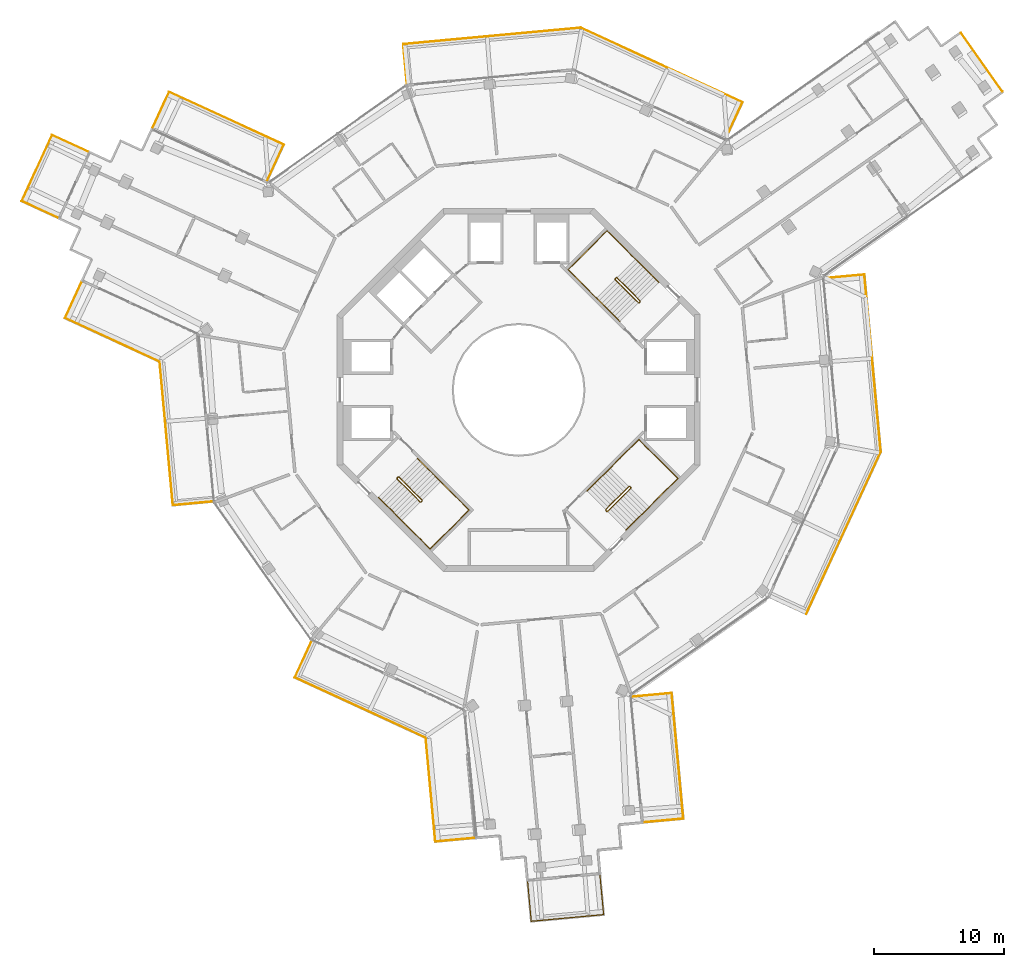
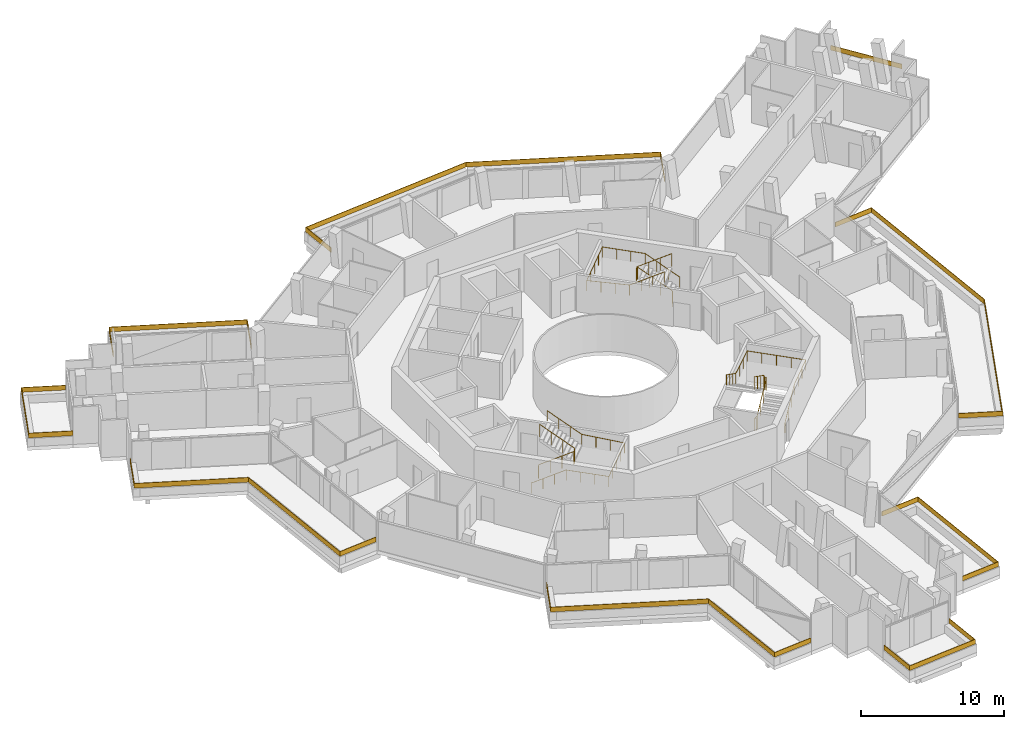
# One storey, part 25 of 25: 15 railings.
"""IFC4 building model written with IfcOpenShell, lengths in metres."""

import ifcopenshell
import ifcopenshell.guid

model = None  # the IFC model being written
_history = None  # IfcOwnerHistory: only IFC2X3 demands one
_inside = {}  # id of a spatial element -> (the spatial element, [elements in it])
_under = {}  # id of a project, library or spatial element -> (it, [spatial elements below it])
_declared = {}  # id of a project -> (the project, [libraries it declares])
_typed = {}  # id of a type object -> (the type object, [elements of that type])
_made_of = {}  # id of a material, layer set ... -> (it, [elements and type objects made of it])


def new_model(schema):
    """Start an empty IFC model of exactly this schema.

    Asked for "IFC4X3", IfcOpenShell would pick the latest addendum, in which some entities
    have other attributes; the version numbers below select the first issue.
    IFC2X3 requires an IfcOwnerHistory on every rooted entity: one is made here for all.
    """
    global model, _history
    if schema == "IFC4X3":
        model = ifcopenshell.file(schema_version=(4, 3, 0, 0))
    else:
        model = ifcopenshell.file(schema=schema)
    _inside.clear()
    _under.clear()
    _declared.clear()
    _typed.clear()
    _made_of.clear()
    _history = None
    if model.schema == "IFC2X3":
        org = make("IfcOrganization", Name="unknown")
        user = make(
            "IfcPersonAndOrganization",
            ThePerson=make("IfcPerson", FamilyName="unknown"),
            TheOrganization=org,
        )
        app = make(
            "IfcApplication",
            ApplicationDeveloper=org,
            Version="unknown",
            ApplicationFullName="unknown",
            ApplicationIdentifier="unknown",
        )
        _history = make(
            "IfcOwnerHistory",
            OwningUser=user,
            OwningApplication=app,
            ChangeAction="ADDED",
            CreationDate=0,
        )
    return model


def make(cls, **values):
    """One entity of the class cls with the attributes given. An attribute that is None is left unset."""
    return model.create_entity(
        cls, **{name: value for name, value in values.items() if value is not None}
    )


def rooted(cls, **values):
    """An entity with a GlobalId (a new one), such as an element, a storey or a relation."""
    return make(cls, GlobalId=ifcopenshell.guid.new(), OwnerHistory=_history, **values)


def si_unit(unit_type, name, prefix=None):
    """IfcSIUnit, for example si_unit("LENGTHUNIT", "METRE", prefix="MILLI")."""
    return make("IfcSIUnit", UnitType=unit_type, Prefix=prefix, Name=name)


def assignment(units):
    """IfcUnitAssignment: the units of a project."""
    return None if units is None else make("IfcUnitAssignment", Units=units)


def point(xyz):
    """IfcCartesianPoint."""
    return None if xyz is None else make("IfcCartesianPoint", Coordinates=xyz)


def direction(xyz):
    """IfcDirection."""
    return None if xyz is None else make("IfcDirection", DirectionRatios=xyz)


def frame(location, z_axis=None, x_axis=None):
    """IfcAxis2Placement3D, a coordinate frame: its origin and axes. An axis left out is left unset."""
    return make(
        "IfcAxis2Placement3D",
        Location=point(location),
        Axis=direction(z_axis),
        RefDirection=direction(x_axis),
    )


def frame_2d(location, x_axis=None):
    """IfcAxis2Placement2D, a coordinate frame in the plane: its origin and x axis."""
    return make(
        "IfcAxis2Placement2D", Location=point(location), RefDirection=direction(x_axis)
    )


def origin():
    """The frame at (0, 0, 0) with its axes left unset."""
    return frame((0.0, 0.0, 0.0))


def origin_2d():
    """The frame at (0, 0) in the plane with its x axis left unset."""
    return frame_2d((0.0, 0.0))


def place(relative_to, where):
    """IfcLocalPlacement: puts the frame where relative to a parent placement (None: the world)."""
    return make(
        "IfcLocalPlacement", PlacementRelTo=relative_to, RelativePlacement=where
    )


def context(
    kind, dimensions, precision=None, world=None, true_north=None, identifier=None
):
    """IfcGeometricRepresentationContext, for example the 3D "Model" context."""
    return make(
        "IfcGeometricRepresentationContext",
        ContextIdentifier=identifier,
        ContextType=kind,
        CoordinateSpaceDimension=dimensions,
        Precision=precision,
        WorldCoordinateSystem=world,
        TrueNorth=true_north,
    )


def subcontext(parent, identifier, kind, view, scale=None):
    """IfcGeometricRepresentationSubContext, for example "Body" below "Model"."""
    return make(
        "IfcGeometricRepresentationSubContext",
        ContextIdentifier=identifier,
        ContextType=kind,
        ParentContext=parent,
        TargetScale=scale,
        TargetView=view,
    )


def project(units=None, contexts=None):
    """IfcProject with its units and contexts."""
    return rooted(
        "IfcProject",
        Name="project",
        RepresentationContexts=contexts,
        UnitsInContext=assignment(units),
    )


def spatial(cls, under=None, at=None, **own):
    """A site, building, storey or space (cls), placed at a placement, below another one or the project."""
    s = rooted(cls, ObjectPlacement=at, **own)
    if under is not None:
        _under.setdefault(under.id(), (under, []))[1].append(s)
    return s


def polyline(points):
    """IfcPolyline through the points."""
    return make("IfcPolyline", Points=[point(p) for p in points])


def profile(cls, at=None, kind="AREA", **sizes):
    """A parametric profile (cls). Its sizes go by their IFC names, for example OverallWidth=200.0."""
    return make(cls, ProfileType=kind, Position=at, **sizes)


def rectangle(**sizes):
    """IfcRectangleProfileDef."""
    return profile("IfcRectangleProfileDef", **sizes)


def circle(**sizes):
    """IfcCircleProfileDef."""
    return profile("IfcCircleProfileDef", **sizes)


def outline(outer, holes=None, kind="AREA"):
    """IfcArbitraryClosedProfileDef: a profile drawn as a closed curve; with holes, ...WithVoids."""
    if holes is None:
        return make("IfcArbitraryClosedProfileDef", ProfileType=kind, OuterCurve=outer)
    return make(
        "IfcArbitraryProfileDefWithVoids",
        ProfileType=kind,
        OuterCurve=outer,
        InnerCurves=holes,
    )


def extrude(swept, where, along, depth):
    """IfcExtrudedAreaSolid: the profile swept, set in the frame where, extruded along a direction by depth."""
    return make(
        "IfcExtrudedAreaSolid",
        SweptArea=swept,
        Position=where,
        ExtrudedDirection=direction(along),
        Depth=depth,
    )


def shape(context_of_items, identifier, shape_type, items):
    """IfcShapeRepresentation: the items that make up one representation, for example the "Body"."""
    return make(
        "IfcShapeRepresentation",
        ContextOfItems=context_of_items,
        RepresentationIdentifier=identifier,
        RepresentationType=shape_type,
        Items=items,
    )


def material(Name=None, Category=None):
    """IfcMaterial."""
    return make("IfcMaterial", Name=Name, Category=Category)


def layer(
    of_material, thickness, ventilated=None, Name=None, Category=None, Priority=None
):
    """IfcMaterialLayer: one layer of a wall or slab, of a material (None: an air gap)."""
    return make(
        "IfcMaterialLayer",
        Material=of_material,
        LayerThickness=thickness,
        IsVentilated=ventilated,
        Name=Name,
        Category=Category,
        Priority=Priority,
    )


def layer_set(layers, Name=None):
    """IfcMaterialLayerSet."""
    return make("IfcMaterialLayerSet", MaterialLayers=layers, LayerSetName=Name)


def made_of(thing, what):
    """Note that an element or type object is made of a material, layer set ...; save() writes the relation."""
    if what is not None:
        _made_of.setdefault(what.id(), (what, []))[1].append(thing)
    return thing


def type_object(cls, material=None, **own):
    """A type object (cls), such as IfcWallType, which elements share."""
    return made_of(rooted(cls, **own), material)


def element(
    cls,
    number,
    at=None,
    inside=None,
    cuts=None,
    type_object=None,
    material=None,
    context=None,
    identifier="Body",
    shape_type=None,
    held_by="IfcProductDefinitionShape",
    body=None,
    shapes=None,
    **own,
):
    """One element of the class cls, such as IfcWall. Its Tag is "e" and its number.

    at: its placement. inside: the storey or other place that contains it. cuts: it is an
    opening in that element (IfcRelVoidsElement). A single representation is given by context,
    identifier, shape_type and body (its items); several are given by shapes. held_by: the class
    of the entity that holds the representations. save() writes the other relations.
    """
    e = rooted(cls, Tag="e%d" % number, ObjectPlacement=at, **own)
    if body is not None:
        shapes = [shape(context, identifier, shape_type, body)]
    if shapes is not None:
        e.Representation = make(held_by, Representations=shapes)
    if inside is not None:
        _inside.setdefault(inside.id(), (inside, []))[1].append(e)
    if cuts is not None:
        rooted(
            "IfcRelVoidsElement", RelatingBuildingElement=cuts, RelatedOpeningElement=e
        )
    if type_object is not None:
        _typed.setdefault(type_object.id(), (type_object, []))[1].append(e)
    return made_of(e, material)


def aggregate(whole, parts):
    """IfcRelAggregates: a whole, such as a stair, and the parts it consists of."""
    return rooted("IfcRelAggregates", RelatingObject=whole, RelatedObjects=parts)


def save(model, path):
    """Write the relations noted so far, then the file.

    IfcRelAggregates (storeys below a building ...), IfcRelContainedInSpatialStructure (elements
    in a storey), IfcRelDefinesByType, IfcRelAssociatesMaterial and IfcRelDeclares: one each for
    every whole, place, type object, material and project.
    """
    for whole, parts in _under.values():
        aggregate(whole, parts)
    for where, things in _inside.values():
        rooted(
            "IfcRelContainedInSpatialStructure",
            RelatedElements=things,
            RelatingStructure=where,
        )
    for kind, things in _typed.values():
        rooted("IfcRelDefinesByType", RelatedObjects=things, RelatingType=kind)
    for what, things in _made_of.values():
        rooted("IfcRelAssociatesMaterial", RelatedObjects=things, RelatingMaterial=what)
    for by, libraries in _declared.values():
        rooted("IfcRelDeclares", RelatingContext=by, RelatedDefinitions=libraries)
    model.write(path)


model = new_model("IFC4")

# Units and contexts
model_context = context("Model", 3, precision=1e-05, world=origin(), true_north=direction((0.0, 1.0)))
body_context = subcontext(model_context, "Body", "Model", "MODEL_VIEW")
ifc_project = project(units=[si_unit("LENGTHUNIT", "METRE"), si_unit("AREAUNIT", "SQUARE_METRE"), si_unit("VOLUMEUNIT", "CUBIC_METRE"), si_unit("PLANEANGLEUNIT", "RADIAN"), si_unit("MASSUNIT", "GRAM", prefix="KILO")], contexts=[model_context])

# Site, building, storey
site_placement = place(None, origin())
site = spatial("IfcSite", under=ifc_project, at=site_placement, CompositionType="ELEMENT")
building_placement = place(site_placement, origin())
building = spatial("IfcBuilding", under=site, at=building_placement, Name="Verdalira Terraces Hotel", CompositionType="ELEMENT")
storey_placement = place(building_placement, frame((0.0, 0.0, 299.5)))
storey = spatial("IfcBuildingStorey", under=building, at=storey_placement, Name="L74", CompositionType="ELEMENT", Elevation=299.5)

# Railings
ifc_material_1 = material(Name="Laminated glass", Category="glass")
ifc_layer = layer(ifc_material_1, 0.0400390625)
ifc_layer_set = layer_set([ifc_layer], Name="Balcony glass guard 400")
railing_type_1 = type_object("IfcRailingType", Name="Balcony glass guard 400", PredefinedType="GUARDRAIL", material=ifc_layer_set)
railing_1_placement = place(storey_placement, frame((0.0, 0.0, 0.699951)))
element("IfcRailing", 1, at=railing_1_placement, inside=storey, type_object=railing_type_1, Name="Balcony glass guard", PredefinedType="GUARDRAIL", context=body_context, shape_type="SweptSolid", body=[
    extrude(outline(polyline([(-35.956543, 19.61377), (-38.281738, 14.563232), (-35.484863, 13.275635), (-35.501465, 13.239502), (-38.334717, 14.543701), (-35.976074, 19.666992), (-33.143066, 18.362549), (-33.159668, 18.326172), (-35.956543, 19.61377)])), origin(), (0.0, 0.0, 1.0), 0.400146),
])
railing_2_placement = place(storey_placement, frame((0.0, 0.0, 0.699951)))
element("IfcRailing", 2, at=railing_2_placement, inside=storey, type_object=railing_type_1, Name="Balcony glass guard", PredefinedType="GUARDRAIL", context=body_context, shape_type="SweptSolid", body=[
    extrude(outline(polyline([(-34.948486, 5.542725), (-27.656738, 2.186035), (-26.635254, -8.868652), (-23.569336, -8.585449), (-23.565674, -8.625244), (-26.671387, -8.912109), (-27.69458, 2.15918), (-35.001465, 5.523193), (-33.697266, 8.356445), (-33.660889, 8.3396), (-34.948486, 5.542725)])), origin(), (0.0, 0.0, 1.0), 0.400146),
])
railing_3_placement = place(storey_placement, frame((0.0, 0.0, 0.699951)))
element("IfcRailing", 3, at=railing_3_placement, inside=storey, type_object=railing_type_1, Name="Balcony glass guard", PredefinedType="GUARDRAIL", context=body_context, shape_type="SweptSolid", body=[
    extrude(outline(polyline([(-17.227783, -22.165039), (-7.143311, -26.807617), (-6.404785, -34.800781), (-3.338867, -34.517578), (-3.335205, -34.557373), (-6.440918, -34.844238), (-7.181152, -26.834229), (-17.280762, -22.184814), (-15.976562, -19.351562), (-15.940186, -19.368164), (-17.227783, -22.165039)])), origin(), (0.0, 0.0, 1.0), 0.400146),
])
railing_4_placement = place(storey_placement, frame((0.0, 0.0, 0.699951)))
element("IfcRailing", 4, at=railing_4_placement, inside=storey, type_object=railing_type_1, Name="Balcony glass guard", PredefinedType="GUARDRAIL", context=body_context, shape_type="SweptSolid", body=[
    extrude(outline(polyline([(0.992188, -40.946289), (6.528564, -40.43457), (6.245361, -37.368652), (6.285156, -37.36499), (6.572021, -40.470703), (0.956055, -40.989746), (0.668945, -37.884033), (0.708984, -37.880371), (0.992188, -40.946289)])), origin(), (0.0, 0.0, 1.0), 0.400146),
])
railing_5_placement = place(storey_placement, frame((0.0, 0.0, 0.699951)))
element("IfcRailing", 5, at=railing_5_placement, inside=storey, type_object=railing_type_1, Name="Balcony glass guard", PredefinedType="GUARDRAIL", context=body_context, shape_type="SweptSolid", body=[
    extrude(outline(polyline([(12.674072, -33.037598), (11.782715, -23.393311), (8.716797, -23.676758), (8.713135, -23.636719), (11.818848, -23.349854), (12.717529, -33.07373), (9.611816, -33.36084), (9.608154, -33.321045), (12.674072, -33.037598)])), origin(), (0.0, 0.0, 1.0), 0.400146),
])
railing_6_placement = place(storey_placement, frame((0.0, 0.0, 0.699951)))
element("IfcRailing", 6, at=railing_6_placement, inside=storey, type_object=railing_type_1, Name="Balcony glass guard", PredefinedType="GUARDRAIL", context=body_context, shape_type="SweptSolid", body=[
    extrude(outline(polyline([(22.165039, -17.227783), (27.896484, -4.778564), (26.635254, 8.868652), (23.569336, 8.585449), (23.565674, 8.625244), (26.671387, 8.912109), (27.937256, -4.7854), (22.184814, -17.280762), (19.351562, -15.976562), (19.368164, -15.940186), (22.165039, -17.227783)])), origin(), (0.0, 0.0, 1.0), 0.400146),
])
railing_7_placement = place(storey_placement, frame((0.0, 0.0, 0.699951)))
element("IfcRailing", 7, at=railing_7_placement, inside=storey, type_object=railing_type_1, Name="Balcony glass guard", PredefinedType="GUARDRAIL", context=body_context, shape_type="SweptSolid", body=[
    extrude(outline(polyline([(17.227783, 22.165039), (4.778564, 27.896484), (-8.868652, 26.635254), (-8.585449, 23.569336), (-8.625244, 23.565674), (-8.912109, 26.671387), (4.7854, 27.937256), (17.280762, 22.184814), (15.976562, 19.351562), (15.940186, 19.368164), (17.227783, 22.165039)])), origin(), (0.0, 0.0, 1.0), 0.400146),
])
railing_8_placement = place(storey_placement, frame((0.0, 0.0, 0.699951)))
element("IfcRailing", 8, at=railing_8_placement, inside=storey, type_object=railing_type_1, Name="Balcony glass guard", PredefinedType="GUARDRAIL", context=body_context, shape_type="SweptSolid", body=[
    extrude(outline(polyline([(-18.138184, 18.896729), (-26.936035, 22.947021), (-28.223633, 20.150146), (-28.26001, 20.166992), (-26.955566, 23.0), (-18.085205, 18.91626), (-19.389404, 16.083252), (-19.425781, 16.099854), (-18.138184, 18.896729)])), origin(), (0.0, 0.0, 1.0), 0.400146),
])
railing_9_placement = place(storey_placement, frame((35.70166, 25.259521, 0.699951), z_axis=(0.0, 0.0, 1.0), x_axis=(-0.577572703, 0.816339251, 0.0)))
element("IfcRailing", 9, at=railing_9_placement, inside=storey, type_object=railing_type_1, Name="Loggia glass guard", PredefinedType="GUARDRAIL", context=body_context, shape_type="SweptSolid", body=[
    extrude(rectangle(XDim=5.5, YDim=0.040039, at=origin_2d()), origin(), (0.0, 0.0, 1.0), 0.399902),
])
ifc_material_2 = material(Name="Stainless steel", Category="steel")
railing_type_2 = type_object("IfcRailingType", Name="Stair guard 1100", PredefinedType="GUARDRAIL", material=ifc_material_2)
railing_10_placement = place(storey_placement, frame((9.369141, 6.78833, 0.0)))
element("IfcRailing", 10, at=railing_10_placement, inside=storey, type_object=railing_type_2, Name="L74 ST1 stair guard 1", PredefinedType="GUARDRAIL", context=body_context, shape_type="SweptSolid", body=[
    extrude(circle(Radius=0.023926, at=origin_2d()), frame((0.0, 0.0, 1.076172), z_axis=(-0.707106781, -0.707106781, 0.0), x_axis=(0.707106781, -0.707106781, 0.0)), (0.0, 0.0, 1.0), 0.100098),
    extrude(circle(Radius=0.023926, at=origin_2d()), frame((-0.070801, -0.070801, 1.076172), z_axis=(0.300162975, 0.599290904, 0.742127078), x_axis=(-0.894118129, 0.447831187, 0.0)), (0.0, 0.0, 1.0), 0.23584),
    extrude(circle(Radius=0.023926, at=origin_2d()), frame((0.0, 0.070557, 1.250977), z_axis=(-0.599637504, 0.599637504, 0.52997144), x_axis=(-0.707106781, -0.707106781, 0.0)), (0.0, 0.0, 1.0), 2.97168),
    extrude(circle(Radius=0.023926, at=origin_2d()), frame((-1.781982, 1.852539, 2.826172), z_axis=(-1.0, 0.0, 0.0), x_axis=(0.0, -1.0, 0.0)), (0.0, 0.0, 1.0), 0.070557),
    extrude(circle(Radius=0.023926, at=origin_2d()), frame((-1.852539, 1.852539, 2.826172), z_axis=(-0.707106781, -0.707106781, 0.0), x_axis=(0.707106781, -0.707106781, 0.0)), (0.0, 0.0, 1.0), 0.100098),
    extrude(circle(Radius=0.023926, at=origin_2d()), frame((-1.92334, 1.781738, 2.826172), z_axis=(0.0, -0.373842709, 0.927492118), x_axis=(1.0, 0.0, 0.0)), (0.0, 0.0, 1.0), 0.188721),
    extrude(circle(Radius=0.023926, at=origin_2d()), frame((-1.92334, 1.711182, 3.000977), z_axis=(0.599637504, -0.599637504, 0.52997144), x_axis=(0.707106781, 0.707106781, 0.0)), (0.0, 0.0, 1.0), 2.97168),
    extrude(circle(Radius=0.020996, at=origin_2d()), origin(), (0.0, 0.0, 1.0), 1.052002),
    extrude(circle(Radius=0.020996, at=origin_2d()), frame((-0.070801, -0.070801, 0.0)), (0.0, 0.0, 1.0), 1.052002),
    extrude(circle(Radius=0.020996, at=origin_2d()), frame((0.0, 0.070557, 0.175049)), (0.0, 0.0, 1.0), 1.052002),
    extrude(circle(Radius=0.020996, at=origin_2d()), frame((-0.593994, 0.664551, 0.699951)), (0.0, 0.0, 1.0), 1.052002),
    extrude(circle(Radius=0.020996, at=origin_2d()), frame((-1.187988, 1.258545, 1.225098)), (0.0, 0.0, 1.0), 1.052002),
    extrude(circle(Radius=0.020996, at=origin_2d()), frame((-1.781982, 1.852539, 1.75)), (0.0, 0.0, 1.0), 1.052002),
    extrude(circle(Radius=0.020996, at=origin_2d()), frame((-1.852539, 1.852539, 1.75)), (0.0, 0.0, 1.0), 1.052002),
    extrude(circle(Radius=0.020996, at=origin_2d()), frame((-1.92334, 1.781738, 1.75)), (0.0, 0.0, 1.0), 1.052002),
    extrude(circle(Radius=0.020996, at=origin_2d()), frame((-1.92334, 1.711182, 1.925049)), (0.0, 0.0, 1.0), 1.052002),
    extrude(circle(Radius=0.020996, at=origin_2d()), frame((-1.329346, 1.117188, 2.449951)), (0.0, 0.0, 1.0), 1.052002),
    extrude(circle(Radius=0.020996, at=origin_2d()), frame((-0.735352, 0.523193, 2.975098)), (0.0, 0.0, 1.0), 1.052002),
    extrude(circle(Radius=0.020996, at=origin_2d()), frame((-0.141357, -0.070801, 3.5)), (0.0, 0.0, 1.0), 1.052002),
])
railing_11_placement = place(storey_placement, frame((-9.369141, -6.78833, 0.0)))
element("IfcRailing", 11, at=railing_11_placement, inside=storey, type_object=railing_type_2, Name="L74 ST2 stair guard 1", PredefinedType="GUARDRAIL", context=body_context, shape_type="SweptSolid", body=[
    extrude(circle(Radius=0.023926, at=origin_2d()), frame((0.0, 0.0, 1.076172), z_axis=(0.707106781, 0.707106781, 0.0), x_axis=(-0.707106781, 0.707106781, 0.0)), (0.0, 0.0, 1.0), 0.100098),
    extrude(circle(Radius=0.023926, at=origin_2d()), frame((0.070801, 0.070801, 1.076172), z_axis=(-0.300162975, -0.599290904, 0.742127078), x_axis=(0.894118129, -0.447831187, 0.0)), (0.0, 0.0, 1.0), 0.23584),
    extrude(circle(Radius=0.023926, at=origin_2d()), frame((0.0, -0.070557, 1.250977), z_axis=(0.599637504, -0.599637504, 0.52997144), x_axis=(0.707106781, 0.707106781, 0.0)), (0.0, 0.0, 1.0), 2.97168),
    extrude(circle(Radius=0.023926, at=origin_2d()), frame((1.781982, -1.852539, 2.826172), z_axis=(1.0, 0.0, 0.0), x_axis=(0.0, 1.0, 0.0)), (0.0, 0.0, 1.0), 0.070557),
    extrude(circle(Radius=0.023926, at=origin_2d()), frame((1.852539, -1.852539, 2.826172), z_axis=(0.707106781, 0.707106781, 0.0), x_axis=(-0.707106781, 0.707106781, 0.0)), (0.0, 0.0, 1.0), 0.100098),
    extrude(circle(Radius=0.023926, at=origin_2d()), frame((1.92334, -1.781738, 2.826172), z_axis=(0.0, 0.373842709, 0.927492118), x_axis=(-1.0, 0.0, 0.0)), (0.0, 0.0, 1.0), 0.188721),
    extrude(circle(Radius=0.023926, at=origin_2d()), frame((1.92334, -1.711182, 3.000977), z_axis=(-0.599637504, 0.599637504, 0.52997144), x_axis=(-0.707106781, -0.707106781, 0.0)), (0.0, 0.0, 1.0), 2.97168),
    extrude(circle(Radius=0.020996, at=origin_2d()), origin(), (0.0, 0.0, 1.0), 1.052002),
    extrude(circle(Radius=0.020996, at=origin_2d()), frame((0.070801, 0.070801, 0.0)), (0.0, 0.0, 1.0), 1.052002),
    extrude(circle(Radius=0.020996, at=origin_2d()), frame((0.0, -0.070557, 0.175049)), (0.0, 0.0, 1.0), 1.052002),
    extrude(circle(Radius=0.020996, at=origin_2d()), frame((0.593994, -0.664551, 0.699951)), (0.0, 0.0, 1.0), 1.052002),
    extrude(circle(Radius=0.020996, at=origin_2d()), frame((1.187988, -1.258545, 1.225098)), (0.0, 0.0, 1.0), 1.052002),
    extrude(circle(Radius=0.020996, at=origin_2d()), frame((1.781982, -1.852539, 1.75)), (0.0, 0.0, 1.0), 1.052002),
    extrude(circle(Radius=0.020996, at=origin_2d()), frame((1.852539, -1.852539, 1.75)), (0.0, 0.0, 1.0), 1.052002),
    extrude(circle(Radius=0.020996, at=origin_2d()), frame((1.92334, -1.781738, 1.75)), (0.0, 0.0, 1.0), 1.052002),
    extrude(circle(Radius=0.020996, at=origin_2d()), frame((1.92334, -1.711182, 1.925049)), (0.0, 0.0, 1.0), 1.052002),
    extrude(circle(Radius=0.020996, at=origin_2d()), frame((1.329346, -1.117188, 2.449951)), (0.0, 0.0, 1.0), 1.052002),
    extrude(circle(Radius=0.020996, at=origin_2d()), frame((0.735352, -0.523193, 2.975098)), (0.0, 0.0, 1.0), 1.052002),
    extrude(circle(Radius=0.020996, at=origin_2d()), frame((0.141357, 0.070801, 3.5)), (0.0, 0.0, 1.0), 1.052002),
])
railing_12_placement = place(storey_placement, frame((6.78833, -9.369141, 0.0)))
element("IfcRailing", 12, at=railing_12_placement, inside=storey, type_object=railing_type_2, Name="L74 ST3 stair guard 1", PredefinedType="GUARDRAIL", context=body_context, shape_type="SweptSolid", body=[
    extrude(circle(Radius=0.023926, at=origin_2d()), frame((0.0, 0.0, 1.076172), z_axis=(-0.707106781, 0.707106781, 0.0), x_axis=(-0.707106781, -0.707106781, 0.0)), (0.0, 0.0, 1.0), 0.100098),
    extrude(circle(Radius=0.023926, at=origin_2d()), frame((-0.070801, 0.070801, 1.076172), z_axis=(0.599290904, -0.300162975, 0.742127078), x_axis=(0.447831187, 0.894118129, 0.0)), (0.0, 0.0, 1.0), 0.23584),
    extrude(circle(Radius=0.023926, at=origin_2d()), frame((0.070557, 0.0, 1.250977), z_axis=(0.599637504, 0.599637504, 0.52997144), x_axis=(-0.707106781, 0.707106781, 0.0)), (0.0, 0.0, 1.0), 2.97168),
    extrude(circle(Radius=0.023926, at=origin_2d()), frame((1.852539, 1.781982, 2.826172), z_axis=(0.0, 1.0, 0.0), x_axis=(-1.0, 0.0, 0.0)), (0.0, 0.0, 1.0), 0.070557),
    extrude(circle(Radius=0.023926, at=origin_2d()), frame((1.852539, 1.852539, 2.826172), z_axis=(-0.707106781, 0.707106781, 0.0), x_axis=(-0.707106781, -0.707106781, 0.0)), (0.0, 0.0, 1.0), 0.100098),
    extrude(circle(Radius=0.023926, at=origin_2d()), frame((1.781738, 1.92334, 2.826172), z_axis=(-0.373842709, 0.0, 0.927492118), x_axis=(0.0, -1.0, 0.0)), (0.0, 0.0, 1.0), 0.188721),
    extrude(circle(Radius=0.023926, at=origin_2d()), frame((1.711182, 1.92334, 3.000977), z_axis=(-0.599637504, -0.599637504, 0.52997144), x_axis=(0.707106781, -0.707106781, 0.0)), (0.0, 0.0, 1.0), 2.97168),
    extrude(circle(Radius=0.020996, at=origin_2d()), origin(), (0.0, 0.0, 1.0), 1.052002),
    extrude(circle(Radius=0.020996, at=origin_2d()), frame((-0.070801, 0.070801, 0.0)), (0.0, 0.0, 1.0), 1.052002),
    extrude(circle(Radius=0.020996, at=origin_2d()), frame((0.070557, 0.0, 0.175049)), (0.0, 0.0, 1.0), 1.052002),
    extrude(circle(Radius=0.020996, at=origin_2d()), frame((0.664551, 0.593994, 0.699951)), (0.0, 0.0, 1.0), 1.052002),
    extrude(circle(Radius=0.020996, at=origin_2d()), frame((1.258545, 1.187988, 1.225098)), (0.0, 0.0, 1.0), 1.052002),
    extrude(circle(Radius=0.020996, at=origin_2d()), frame((1.852539, 1.781982, 1.75)), (0.0, 0.0, 1.0), 1.052002),
    extrude(circle(Radius=0.020996, at=origin_2d()), frame((1.852539, 1.852539, 1.75)), (0.0, 0.0, 1.0), 1.052002),
    extrude(circle(Radius=0.020996, at=origin_2d()), frame((1.781738, 1.92334, 1.75)), (0.0, 0.0, 1.0), 1.052002),
    extrude(circle(Radius=0.020996, at=origin_2d()), frame((1.711182, 1.92334, 1.925049)), (0.0, 0.0, 1.0), 1.052002),
    extrude(circle(Radius=0.020996, at=origin_2d()), frame((1.117188, 1.329346, 2.449951)), (0.0, 0.0, 1.0), 1.052002),
    extrude(circle(Radius=0.020996, at=origin_2d()), frame((0.523193, 0.735352, 2.975098)), (0.0, 0.0, 1.0), 1.052002),
    extrude(circle(Radius=0.020996, at=origin_2d()), frame((-0.070801, 0.141357, 3.5)), (0.0, 0.0, 1.0), 1.052002),
])
ifc_material_3 = material(Name="Stainless steel", Category="steel")
railing_type_3 = type_object("IfcRailingType", Name="Stair handrail 900", PredefinedType="HANDRAIL", material=ifc_material_3)
railing_13_placement = place(storey_placement, frame((10.801025, 8.290771, 0.175049)))
element("IfcRailing", 13, at=railing_13_placement, inside=storey, type_object=railing_type_3, Name="L74 ST1 stair handrail 1", PredefinedType="HANDRAIL", context=body_context, shape_type="SweptSolid", body=[
    extrude(circle(Radius=0.023926, at=origin_2d()), frame((0.0, 0.0, 0.875977), z_axis=(-0.599637504, 0.599637504, 0.52997144), x_axis=(-0.707106781, -0.707106781, 0.0)), (0.0, 0.0, 1.0), 2.97168),
    extrude(circle(Radius=0.023926, at=origin_2d()), frame((-1.781982, 1.781982, 2.450684), z_axis=(-0.707106781, 0.707106781, 0.0), x_axis=(-0.707106781, -0.707106781, 0.0)), (0.0, 0.0, 1.0), 3.10498),
    extrude(circle(Radius=0.023926, at=origin_2d()), frame((-3.977539, 3.977539, 2.450684), z_axis=(-0.707106781, -0.707106781, 0.0), x_axis=(0.707106781, -0.707106781, 0.0)), (0.0, 0.0, 1.0), 4.25),
    extrude(circle(Radius=0.023926, at=origin_2d()), frame((-6.982666, 0.972412, 2.450684), z_axis=(0.705985743, -0.705985743, 0.05628731), x_axis=(0.707106781, 0.707106781, 0.0)), (0.0, 0.0, 1.0), 3.109863),
    extrude(circle(Radius=0.023926, at=origin_2d()), frame((-4.787109, -1.223145, 2.625977), z_axis=(0.599637504, -0.599637504, 0.52997144), x_axis=(0.707106781, 0.707106781, 0.0)), (0.0, 0.0, 1.0), 2.97168),
    extrude(circle(Radius=0.020996, at=origin_2d()), origin(), (0.0, 0.0, 1.0), 0.851807),
    extrude(circle(Radius=0.020996, at=origin_2d()), frame((-0.593994, 0.593994, 0.524902)), (0.0, 0.0, 1.0), 0.851807),
    extrude(circle(Radius=0.020996, at=origin_2d()), frame((-1.187988, 1.187988, 1.050049)), (0.0, 0.0, 1.0), 0.851807),
    extrude(circle(Radius=0.020996, at=origin_2d()), frame((-1.781982, 1.781982, 1.574951)), (0.0, 0.0, 1.0), 0.851807),
    extrude(circle(Radius=0.020996, at=origin_2d()), frame((-2.513916, 2.513916, 1.574951)), (0.0, 0.0, 1.0), 0.851807),
    extrude(circle(Radius=0.020996, at=origin_2d()), frame((-3.245605, 3.245605, 1.574951)), (0.0, 0.0, 1.0), 0.851807),
    extrude(circle(Radius=0.020996, at=origin_2d()), frame((-3.977539, 3.977539, 1.574951)), (0.0, 0.0, 1.0), 0.851807),
    extrude(circle(Radius=0.020996, at=origin_2d()), frame((-4.72876, 3.226318, 1.574951)), (0.0, 0.0, 1.0), 0.851807),
    extrude(circle(Radius=0.020996, at=origin_2d()), frame((-5.47998, 2.475098, 1.574951)), (0.0, 0.0, 1.0), 0.851807),
    extrude(circle(Radius=0.020996, at=origin_2d()), frame((-6.231445, 1.723633, 1.574951)), (0.0, 0.0, 1.0), 0.851807),
    extrude(circle(Radius=0.020996, at=origin_2d()), frame((-6.982666, 0.972412, 1.574951)), (0.0, 0.0, 1.0), 0.851807),
    extrude(circle(Radius=0.020996, at=origin_2d()), frame((-6.250732, 0.240479, 1.633301)), (0.0, 0.0, 1.0), 0.851807),
    extrude(circle(Radius=0.020996, at=origin_2d()), frame((-5.519043, -0.491211, 1.69165)), (0.0, 0.0, 1.0), 0.851807),
    extrude(circle(Radius=0.020996, at=origin_2d()), frame((-4.787109, -1.223145, 1.75)), (0.0, 0.0, 1.0), 0.851807),
    extrude(circle(Radius=0.020996, at=origin_2d()), frame((-4.193115, -1.817139, 2.274902)), (0.0, 0.0, 1.0), 0.851807),
    extrude(circle(Radius=0.020996, at=origin_2d()), frame((-3.599121, -2.411133, 2.800049)), (0.0, 0.0, 1.0), 0.851807),
    extrude(circle(Radius=0.020996, at=origin_2d()), frame((-3.005127, -3.005127, 3.324951)), (0.0, 0.0, 1.0), 0.851807),
])
railing_14_placement = place(storey_placement, frame((-10.801025, -8.290771, 0.175049)))
element("IfcRailing", 14, at=railing_14_placement, inside=storey, type_object=railing_type_3, Name="L74 ST2 stair handrail 1", PredefinedType="HANDRAIL", context=body_context, shape_type="SweptSolid", body=[
    extrude(circle(Radius=0.023926, at=origin_2d()), frame((0.0, 0.0, 0.875977), z_axis=(0.599637504, -0.599637504, 0.52997144), x_axis=(0.707106781, 0.707106781, 0.0)), (0.0, 0.0, 1.0), 2.97168),
    extrude(circle(Radius=0.023926, at=origin_2d()), frame((1.781982, -1.781982, 2.450684), z_axis=(0.707106781, -0.707106781, 0.0), x_axis=(0.707106781, 0.707106781, 0.0)), (0.0, 0.0, 1.0), 3.10498),
    extrude(circle(Radius=0.023926, at=origin_2d()), frame((3.977539, -3.977539, 2.450684), z_axis=(0.707106781, 0.707106781, 0.0), x_axis=(-0.707106781, 0.707106781, 0.0)), (0.0, 0.0, 1.0), 4.25),
    extrude(circle(Radius=0.023926, at=origin_2d()), frame((6.982666, -0.972412, 2.450684), z_axis=(-0.705985743, 0.705985743, 0.05628731), x_axis=(-0.707106781, -0.707106781, 0.0)), (0.0, 0.0, 1.0), 3.109863),
    extrude(circle(Radius=0.023926, at=origin_2d()), frame((4.787109, 1.223145, 2.625977), z_axis=(-0.599637504, 0.599637504, 0.52997144), x_axis=(-0.707106781, -0.707106781, 0.0)), (0.0, 0.0, 1.0), 2.97168),
    extrude(circle(Radius=0.020996, at=origin_2d()), origin(), (0.0, 0.0, 1.0), 0.851807),
    extrude(circle(Radius=0.020996, at=origin_2d()), frame((0.593994, -0.593994, 0.524902)), (0.0, 0.0, 1.0), 0.851807),
    extrude(circle(Radius=0.020996, at=origin_2d()), frame((1.187988, -1.187988, 1.050049)), (0.0, 0.0, 1.0), 0.851807),
    extrude(circle(Radius=0.020996, at=origin_2d()), frame((1.781982, -1.781982, 1.574951)), (0.0, 0.0, 1.0), 0.851807),
    extrude(circle(Radius=0.020996, at=origin_2d()), frame((2.513916, -2.513916, 1.574951)), (0.0, 0.0, 1.0), 0.851807),
    extrude(circle(Radius=0.020996, at=origin_2d()), frame((3.245605, -3.245605, 1.574951)), (0.0, 0.0, 1.0), 0.851807),
    extrude(circle(Radius=0.020996, at=origin_2d()), frame((3.977539, -3.977539, 1.574951)), (0.0, 0.0, 1.0), 0.851807),
    extrude(circle(Radius=0.020996, at=origin_2d()), frame((4.72876, -3.226318, 1.574951)), (0.0, 0.0, 1.0), 0.851807),
    extrude(circle(Radius=0.020996, at=origin_2d()), frame((5.47998, -2.475098, 1.574951)), (0.0, 0.0, 1.0), 0.851807),
    extrude(circle(Radius=0.020996, at=origin_2d()), frame((6.231445, -1.723633, 1.574951)), (0.0, 0.0, 1.0), 0.851807),
    extrude(circle(Radius=0.020996, at=origin_2d()), frame((6.982666, -0.972412, 1.574951)), (0.0, 0.0, 1.0), 0.851807),
    extrude(circle(Radius=0.020996, at=origin_2d()), frame((6.250732, -0.240479, 1.633301)), (0.0, 0.0, 1.0), 0.851807),
    extrude(circle(Radius=0.020996, at=origin_2d()), frame((5.519043, 0.491211, 1.69165)), (0.0, 0.0, 1.0), 0.851807),
    extrude(circle(Radius=0.020996, at=origin_2d()), frame((4.787109, 1.223145, 1.75)), (0.0, 0.0, 1.0), 0.851807),
    extrude(circle(Radius=0.020996, at=origin_2d()), frame((4.193115, 1.817139, 2.274902)), (0.0, 0.0, 1.0), 0.851807),
    extrude(circle(Radius=0.020996, at=origin_2d()), frame((3.599121, 2.411133, 2.800049)), (0.0, 0.0, 1.0), 0.851807),
    extrude(circle(Radius=0.020996, at=origin_2d()), frame((3.005127, 3.005127, 3.324951)), (0.0, 0.0, 1.0), 0.851807),
])
railing_15_placement = place(storey_placement, frame((8.290771, -10.801025, 0.175049)))
element("IfcRailing", 15, at=railing_15_placement, inside=storey, type_object=railing_type_3, Name="L74 ST3 stair handrail 1", PredefinedType="HANDRAIL", context=body_context, shape_type="SweptSolid", body=[
    extrude(circle(Radius=0.023926, at=origin_2d()), frame((0.0, 0.0, 0.875977), z_axis=(0.599637504, 0.599637504, 0.52997144), x_axis=(-0.707106781, 0.707106781, 0.0)), (0.0, 0.0, 1.0), 2.97168),
    extrude(circle(Radius=0.023926, at=origin_2d()), frame((1.781982, 1.781982, 2.450684), z_axis=(0.707106781, 0.707106781, 0.0), x_axis=(-0.707106781, 0.707106781, 0.0)), (0.0, 0.0, 1.0), 3.10498),
    extrude(circle(Radius=0.023926, at=origin_2d()), frame((3.977539, 3.977539, 2.450684), z_axis=(-0.707106781, 0.707106781, 0.0), x_axis=(-0.707106781, -0.707106781, 0.0)), (0.0, 0.0, 1.0), 4.25),
    extrude(circle(Radius=0.023926, at=origin_2d()), frame((0.972412, 6.982666, 2.450684), z_axis=(-0.705985743, -0.705985743, 0.05628731), x_axis=(0.707106781, -0.707106781, 0.0)), (0.0, 0.0, 1.0), 3.109863),
    extrude(circle(Radius=0.023926, at=origin_2d()), frame((-1.223145, 4.787109, 2.625977), z_axis=(-0.599637504, -0.599637504, 0.52997144), x_axis=(0.707106781, -0.707106781, 0.0)), (0.0, 0.0, 1.0), 2.97168),
    extrude(circle(Radius=0.020996, at=origin_2d()), origin(), (0.0, 0.0, 1.0), 0.851807),
    extrude(circle(Radius=0.020996, at=origin_2d()), frame((0.593994, 0.593994, 0.524902)), (0.0, 0.0, 1.0), 0.851807),
    extrude(circle(Radius=0.020996, at=origin_2d()), frame((1.187988, 1.187988, 1.050049)), (0.0, 0.0, 1.0), 0.851807),
    extrude(circle(Radius=0.020996, at=origin_2d()), frame((1.781982, 1.781982, 1.574951)), (0.0, 0.0, 1.0), 0.851807),
    extrude(circle(Radius=0.020996, at=origin_2d()), frame((2.513916, 2.513916, 1.574951)), (0.0, 0.0, 1.0), 0.851807),
    extrude(circle(Radius=0.020996, at=origin_2d()), frame((3.245605, 3.245605, 1.574951)), (0.0, 0.0, 1.0), 0.851807),
    extrude(circle(Radius=0.020996, at=origin_2d()), frame((3.977539, 3.977539, 1.574951)), (0.0, 0.0, 1.0), 0.851807),
    extrude(circle(Radius=0.020996, at=origin_2d()), frame((3.226318, 4.72876, 1.574951)), (0.0, 0.0, 1.0), 0.851807),
    extrude(circle(Radius=0.020996, at=origin_2d()), frame((2.475098, 5.47998, 1.574951)), (0.0, 0.0, 1.0), 0.851807),
    extrude(circle(Radius=0.020996, at=origin_2d()), frame((1.723633, 6.231445, 1.574951)), (0.0, 0.0, 1.0), 0.851807),
    extrude(circle(Radius=0.020996, at=origin_2d()), frame((0.972412, 6.982666, 1.574951)), (0.0, 0.0, 1.0), 0.851807),
    extrude(circle(Radius=0.020996, at=origin_2d()), frame((0.240479, 6.250732, 1.633301)), (0.0, 0.0, 1.0), 0.851807),
    extrude(circle(Radius=0.020996, at=origin_2d()), frame((-0.491211, 5.519043, 1.69165)), (0.0, 0.0, 1.0), 0.851807),
    extrude(circle(Radius=0.020996, at=origin_2d()), frame((-1.223145, 4.787109, 1.75)), (0.0, 0.0, 1.0), 0.851807),
    extrude(circle(Radius=0.020996, at=origin_2d()), frame((-1.817139, 4.193115, 2.274902)), (0.0, 0.0, 1.0), 0.851807),
    extrude(circle(Radius=0.020996, at=origin_2d()), frame((-2.411133, 3.599121, 2.800049)), (0.0, 0.0, 1.0), 0.851807),
    extrude(circle(Radius=0.020996, at=origin_2d()), frame((-3.005127, 3.005127, 3.324951)), (0.0, 0.0, 1.0), 0.851807),
])

save(model, "model.ifc")
